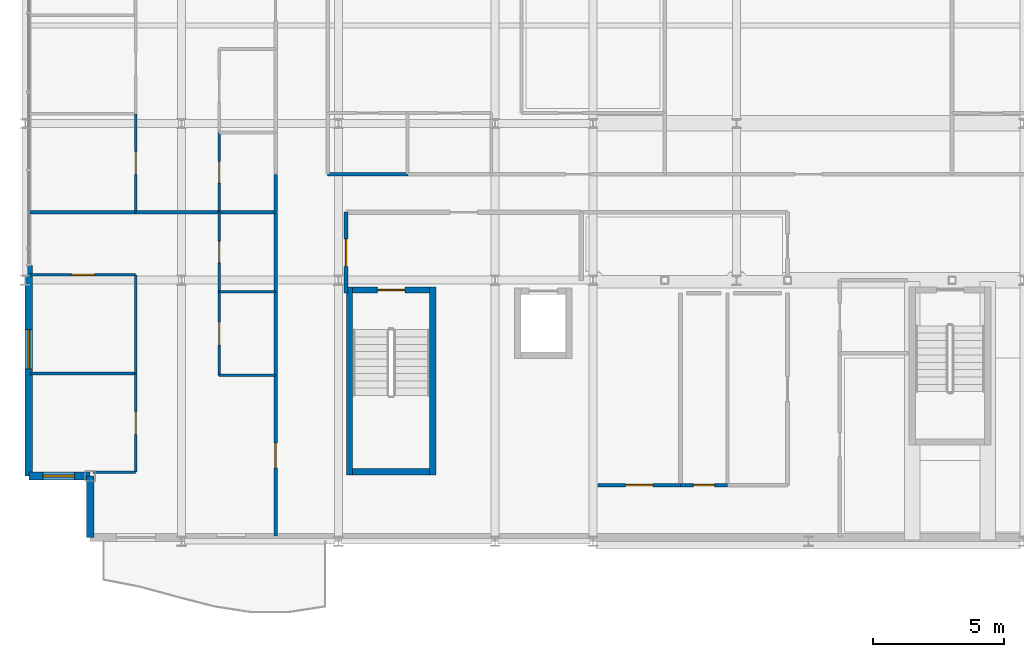
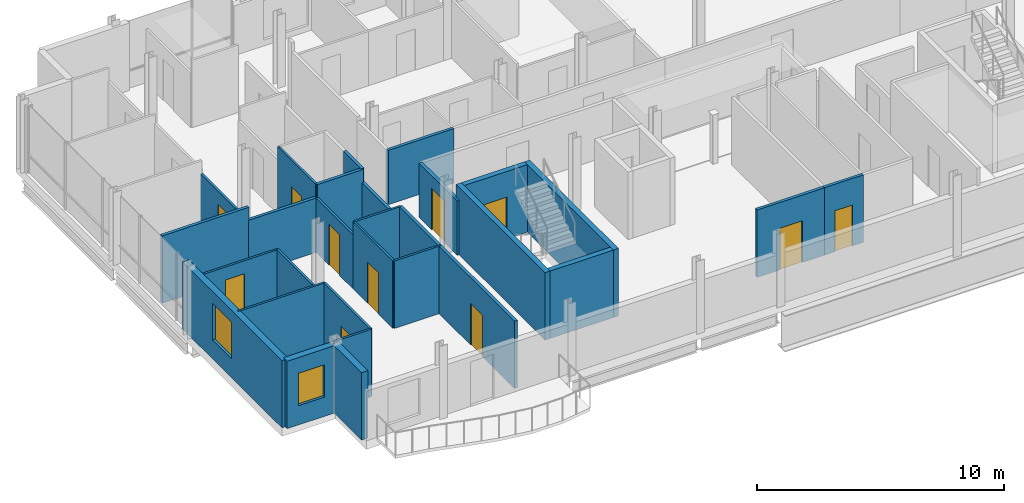
# One storey, part 26 of 35: 29 walls, 11 doors, 2 windows, 13 openings.
"""IFC4 building model written with IfcOpenShell, lengths in metres."""

from ifc_helpers import new_model, si_unit, direction, frame, frame_2d, origin, place, context, subcontext, project, spatial, rectangle, extrude, material, layer, layer_set, type_object, element, fill, save


model = new_model("IFC4")

# Units and contexts
model_context = context("Model", 3, precision=1e-05, world=origin(), true_north=direction((0.0, 1.0)))
body_context = subcontext(model_context, "Body", "Model", "MODEL_VIEW")
ifc_project = project(units=[si_unit("LENGTHUNIT", "METRE"), si_unit("AREAUNIT", "SQUARE_METRE"), si_unit("VOLUMEUNIT", "CUBIC_METRE"), si_unit("PLANEANGLEUNIT", "RADIAN"), si_unit("MASSUNIT", "GRAM", prefix="KILO")], contexts=[model_context])

# Site, building, storey
site_placement = place(None, origin())
site = spatial("IfcSite", under=ifc_project, at=site_placement, CompositionType="ELEMENT")
building_placement = place(site_placement, origin())
building = spatial("IfcBuilding", under=site, at=building_placement, Name="Brevholm Reach", CompositionType="ELEMENT")
storey_placement = place(building_placement, frame((0.0, 0.0, 214.39990234375)))
storey = spatial("IfcBuildingStorey", under=building, at=storey_placement, Name="L65", CompositionType="ELEMENT", Elevation=214.39990234375)

# Walls
ifc_material_1 = material(Name="Concrete C45/55", Category="concrete")
ifc_layer_1 = layer(ifc_material_1, 0.239990234375)
ifc_layer_set_1 = layer_set([ifc_layer_1], Name="Concrete C45/55")
wall_type_1 = type_object("IfcWallType", Name="WAL-COR-240", PredefinedType="SHEAR", material=ifc_layer_set_1)
for number, where, z_axis, x_axis, name in (
    (1, (12.429931640625, 2.5400390625, 0.0), (0.0, 0.0, 1.0), (0.0, 1.0, 0.0), "L65 Escape Stair ST-1 Core Wall W"),
    (2, (15.6201171875, 2.5400390625, 0.0), (0.0, 0.0, 1.0), (0.0, 1.0, 0.0), "L65 Escape Stair ST-1 Core Wall E"),
):
    element("IfcWall", number, at=place(storey_placement, frame(where, z_axis=z_axis, x_axis=x_axis)), inside=storey, type_object=wall_type_1, Name=name, PredefinedType="SHEAR", context=body_context, shape_type="SweptSolid", body=[
        extrude(rectangle(XDim=7.199951171875, YDim=0.239990234375, at=frame_2d((3.60009765625, 0.0))), origin(), (0.0, 0.0, 1.0), 3.330078125),
    ])
wall_1_placement = place(storey_placement, frame((12.550048828125, 2.659912109375, 0.0), z_axis=(0.0, 0.0, 1.0), x_axis=(1.0, 0.0, 0.0)))
element("IfcWall", 3, at=wall_1_placement, inside=storey, type_object=wall_type_1, Name="L65 Escape Stair ST-1 Core Wall S", PredefinedType="SHEAR", context=body_context, shape_type="SweptSolid", body=[
    extrude(rectangle(XDim=2.949951171875, YDim=0.239990234375, at=frame_2d((1.47509765625, 0.0))), origin(), (0.0, 0.0, 1.0), 3.330078125),
])

# Wall, opening, door
wall_2_placement = place(storey_placement, frame((15.5, 9.6201171875, 0.0), z_axis=(0.0, 0.0, 1.0), x_axis=(-1.0, 0.0, 0.0)))
wall_2 = element("IfcWall", 4, at=wall_2_placement, inside=storey, type_object=wall_type_1, Name="L65 Escape Stair ST-1 Core Wall N", PredefinedType="SHEAR", context=body_context, shape_type="SweptSolid", body=[
    extrude(rectangle(XDim=2.949951171875, YDim=0.239990234375, at=frame_2d((1.47509765625, 0.0))), origin(), (0.0, 0.0, 1.0), 3.330078125),
])
opening_1_placement = place(wall_2_placement, frame((0.949951171875, 0.0, 0.0)))
opening_1 = element("IfcOpeningElement", 5, at=opening_1_placement, cuts=wall_2, Name="Opening SD-ST-1", PredefinedType="OPENING", context=body_context, shape_type="SweptSolid", body=[
    extrude(rectangle(XDim=1.050048828125, YDim=2.06005859375, at=frame_2d((0.52490234375, 1.030029296875))), frame((0.0, 0.1298828125, 0.0), z_axis=(0.0, -1.0, 0.0), x_axis=(1.0, 0.0, 0.0)), (0.0, 0.0, 1.0), 0.260009765625),
])
ifc_material_2 = material(Name="Hardwood-Lipped Steel-Core Fire and Smoke Door", Category="steel")
door_type_1 = type_object("IfcDoorType", Name="DOR-INT-FD60S", OperationType="NOTDEFINED", PredefinedType="DOOR", material=ifc_material_2)
door_1_placement = place(opening_1_placement, origin())
door_1 = element("IfcDoor", 6, at=door_1_placement, inside=storey, type_object=door_type_1, Name="L65 Protected Stair ST-1 Lobby Door", OperationType="SINGLE_SWING_LEFT", OverallHeight=2.06005859375, OverallWidth=1.050048828125, PredefinedType="DOOR", context=body_context, shape_type="SweptSolid", body=[
    extrude(rectangle(XDim=1.050048828125, YDim=2.06005859375, at=frame_2d((0.52490234375, 1.030029296875))), frame((0.0, 0.02490234375, 0.0), z_axis=(0.0, -1.0, 0.0), x_axis=(1.0, 0.0, 0.0)), (0.0, 0.0, 1.0), 0.050048828125),
])
fill(opening_1, door_1)

# Wall
ifc_material_3 = material(Name="Concrete C40/50", Category="concrete")
ifc_layer_2 = layer(ifc_material_3, 0.300048828125)
ifc_layer_set_2 = layer_set([ifc_layer_2], Name="Concrete C40/50")
wall_type_2 = type_object("IfcWallType", Name="WAL-EXT-300", PredefinedType="STANDARD", material=ifc_layer_set_2)
wall_3_placement = place(storey_placement, frame((2.5, 2.5, 0.0), z_axis=(0.0, 0.0, 1.0), x_axis=(0.0, -1.0, 0.0)))
element("IfcWall", 7, at=wall_3_placement, inside=storey, type_object=wall_type_2, Name="L65 Facade Wall WAL-L65-CSW1", PredefinedType="STANDARD", context=body_context, shape_type="SweptSolid", body=[
    extrude(rectangle(XDim=2.35009765625, YDim=0.300048828125, at=frame_2d((1.175048828125, 0.0))), origin(), (0.0, 0.0, 1.0), 3.330078125),
])

# Wall, opening, window
wall_4_placement = place(storey_placement, frame((0.14990234375, 2.5, 0.0), z_axis=(0.0, 0.0, 1.0), x_axis=(1.0, 0.0, 0.0)))
wall_4 = element("IfcWall", 8, at=wall_4_placement, inside=storey, type_object=wall_type_2, Name="L65 Facade Wall WAL-L65-CSW2", PredefinedType="STANDARD", context=body_context, shape_type="SweptSolid", body=[
    extrude(rectangle(XDim=2.35009765625, YDim=0.300048828125, at=frame_2d((1.175048828125, 0.0))), origin(), (0.0, 0.0, 1.0), 3.330078125),
])
opening_2_placement = place(wall_4_placement, frame((0.5400390625, 0.0, 0.949951171875)))
opening_2 = element("IfcOpeningElement", 9, at=opening_2_placement, cuts=wall_4, Name="Opening WN-08", PredefinedType="OPENING", context=body_context, shape_type="SweptSolid", body=[
    extrude(rectangle(XDim=1.199951171875, YDim=1.60009765625, at=frame_2d((0.60009765625, 0.800048828125))), frame((0.0, 0.159912109375, 0.0), z_axis=(0.0, -1.0, 0.0), x_axis=(1.0, 0.0, 0.0)), (0.0, 0.0, 1.0), 0.320068359375),
])
ifc_material_4 = material(Name="Dark Anodised Aluminium and Solar-Control IGU Glass", Category="aluminium")
window_type_1 = type_object("IfcWindowType", Name="WIN-RES-1200", PartitioningType="SINGLE_PANEL", PredefinedType="WINDOW", material=ifc_material_4)
window_1_placement = place(opening_2_placement, origin())
window_1 = element("IfcWindow", 10, at=window_1_placement, inside=storey, type_object=window_type_1, Name="L65 Bedroom Window 069", OverallHeight=1.60009765625, OverallWidth=1.199951171875, PartitioningType="SINGLE_PANEL", PredefinedType="WINDOW", context=body_context, shape_type="SweptSolid", body=[
    extrude(rectangle(XDim=1.199951171875, YDim=1.60009765625, at=frame_2d((0.60009765625, 0.800048828125))), frame((0.0, 0.030029296875, 0.0), z_axis=(0.0, -1.0, 0.0), x_axis=(1.0, 0.0, 0.0)), (0.0, 0.0, 1.0), 0.06005859375),
])
fill(opening_2, window_1)

wall_5_placement = place(storey_placement, frame((0.14990234375, 10.550048828125, 0.0), z_axis=(0.0, 0.0, 1.0), x_axis=(0.0, -1.0, 0.0)))
wall_5 = element("IfcWall", 11, at=wall_5_placement, inside=storey, type_object=wall_type_2, Name="L65 Facade Wall WAL-L65-W-S", PredefinedType="STANDARD", context=body_context, shape_type="SweptSolid", body=[
    extrude(rectangle(XDim=8.050048828125, YDim=0.300048828125, at=frame_2d((4.02490234375, 0.0))), origin(), (0.0, 0.0, 1.0), 3.330078125),
])
opening_3_placement = place(wall_5_placement, frame((2.445068359375, 0.0, 0.949951171875)))
opening_3 = element("IfcOpeningElement", 12, at=opening_3_placement, cuts=wall_5, Name="Opening WN-05", PredefinedType="OPENING", context=body_context, shape_type="SweptSolid", body=[
    extrude(rectangle(XDim=1.5, YDim=1.800048828125, at=frame_2d((0.75, 0.89990234375))), frame((0.0, 0.159912109375, 0.0), z_axis=(0.0, -1.0, 0.0), x_axis=(1.0, 0.0, 0.0)), (0.0, 0.0, 1.0), 0.320068359375),
])
ifc_material_5 = material(Name="Dark Anodised Aluminium and Solar-Control IGU Glass", Category="aluminium")
window_type_2 = type_object("IfcWindowType", Name="WIN-RES-1500", PartitioningType="SINGLE_PANEL", PredefinedType="WINDOW", material=ifc_material_5)
window_2_placement = place(opening_3_placement, origin())
window_2 = element("IfcWindow", 13, at=window_2_placement, inside=storey, type_object=window_type_2, Name="L65 Window WIN-L65-WS-1", OverallHeight=1.800048828125, OverallWidth=1.5, PartitioningType="SINGLE_PANEL", PredefinedType="WINDOW", context=body_context, shape_type="SweptSolid", body=[
    extrude(rectangle(XDim=1.5, YDim=1.800048828125, at=frame_2d((0.75, 0.89990234375))), frame((0.0, 0.030029296875, 0.0), z_axis=(0.0, -1.0, 0.0), x_axis=(1.0, 0.0, 0.0)), (0.0, 0.0, 1.0), 0.06005859375),
])
fill(opening_3, window_2)

# Wall
ifc_material_6 = material(Name="Moisture-Resistant Acoustic Gypsum Stud Partition 100 mm", Category="gypsum")
ifc_layer_3 = layer(ifc_material_6, 0.10009765625)
ifc_layer_set_3 = layer_set([ifc_layer_3], Name="Moisture-Resistant Acoustic Gypsum Stud Partition 100 mm")
wall_type_3 = type_object("IfcWallType", Name="WAL-PRT-100", PredefinedType="PARTITIONING", material=ifc_layer_set_3)
wall_6_placement = place(storey_placement, frame((7.43798828125, 9.550048828125, 0.0), z_axis=(0.0, 0.0, 1.0), x_axis=(1.0, 0.0, 0.0)))
element("IfcWall", 14, at=wall_6_placement, inside=storey, type_object=wall_type_3, Name="L65 Internal Partition 039", PredefinedType="PARTITIONING", context=body_context, shape_type="SweptSolid", body=[
    extrude(rectangle(XDim=2.157958984375, YDim=0.10009765625, at=frame_2d((1.0791015625, 0.0))), origin(), (0.0, 0.0, 1.0), 3.330078125),
])

# Wall, opening, door
wall_7_placement = place(storey_placement, frame((7.43798828125, 9.550048828125, 0.0), z_axis=(0.0, 0.0, 1.0), x_axis=(0.0, 1.0, 0.0)))
wall_7 = element("IfcWall", 15, at=wall_7_placement, inside=storey, type_object=wall_type_3, Name="L65 Internal Partition 040", PredefinedType="PARTITIONING", context=body_context, shape_type="SweptSolid", body=[
    extrude(rectangle(XDim=3.050048828125, YDim=0.10009765625, at=frame_2d((1.52490234375, 0.0))), origin(), (0.0, 0.0, 1.0), 2.684814453125),
])
opening_4_placement = place(wall_7_placement, frame((1.114990234375, 0.0, 0.0)))
opening_4 = element("IfcOpeningElement", 16, at=opening_4_placement, cuts=wall_7, Name="Opening ID-03", PredefinedType="OPENING", context=body_context, shape_type="SweptSolid", body=[
    extrude(rectangle(XDim=0.820068359375, YDim=2.02001953125, at=frame_2d((0.41015625, 1.010009765625))), frame((0.0, 0.06005859375, 0.0), z_axis=(0.0, -1.0, 0.0), x_axis=(1.0, 0.0, 0.0)), (0.0, 0.0, 1.0), 0.1201171875),
])
ifc_material_7 = material(Name="Moisture-Resistant Painted Timber Internal Bathroom Door", Category="wood")
door_type_2 = type_object("IfcDoorType", Name="DOR-BATH-820", OperationType="NOTDEFINED", PredefinedType="DOOR", material=ifc_material_7)
door_2_placement = place(opening_4_placement, origin())
door_2 = element("IfcDoor", 17, at=door_2_placement, inside=storey, type_object=door_type_2, Name="L65 Internal Door 019", OperationType="SINGLE_SWING_RIGHT", OverallHeight=2.02001953125, OverallWidth=0.820068359375, PredefinedType="DOOR", context=body_context, shape_type="SweptSolid", body=[
    extrude(rectangle(XDim=0.820068359375, YDim=2.02001953125, at=frame_2d((0.41015625, 1.010009765625))), frame((0.0, 0.02490234375, 0.0), z_axis=(0.0, -1.0, 0.0), x_axis=(1.0, 0.0, 0.0)), (0.0, 0.0, 1.0), 0.050048828125),
])
fill(opening_4, door_2)

# Wall
wall_8_placement = place(storey_placement, frame((7.43798828125, 6.35009765625, 0.0), z_axis=(0.0, 0.0, 1.0), x_axis=(1.0, 0.0, 0.0)))
element("IfcWall", 18, at=wall_8_placement, inside=storey, type_object=wall_type_3, Name="L65 Internal Partition 042", PredefinedType="PARTITIONING", context=body_context, shape_type="SweptSolid", body=[
    extrude(rectangle(XDim=2.157958984375, YDim=0.10009765625, at=frame_2d((1.0791015625, 0.0))), origin(), (0.0, 0.0, 1.0), 3.330078125),
])

# Wall, opening, door
wall_9_placement = place(storey_placement, frame((7.43798828125, 6.35009765625, 0.0), z_axis=(0.0, 0.0, 1.0), x_axis=(0.0, 1.0, 0.0)))
wall_9 = element("IfcWall", 19, at=wall_9_placement, inside=storey, type_object=wall_type_3, Name="L65 Internal Partition 043", PredefinedType="PARTITIONING", context=body_context, shape_type="SweptSolid", body=[
    extrude(rectangle(XDim=3.19580078125, YDim=0.10009765625, at=frame_2d((1.597900390625, 0.0))), origin(), (0.0, 0.0, 1.0), 3.330078125),
])
opening_5_placement = place(wall_9_placement, frame((1.157958984375, 0.0, 0.0)))
opening_5 = element("IfcOpeningElement", 20, at=opening_5_placement, cuts=wall_9, Name="Opening ID-01", PredefinedType="OPENING", context=body_context, shape_type="SweptSolid", body=[
    extrude(rectangle(XDim=0.8798828125, YDim=2.0400390625, at=frame_2d((0.43994140625, 1.02001953125))), frame((0.0, 0.06005859375, 0.0), z_axis=(0.0, -1.0, 0.0), x_axis=(1.0, 0.0, 0.0)), (0.0, 0.0, 1.0), 0.1201171875),
])
ifc_material_8 = material(Name="Lacquered Ash Solid-Core Acoustic Internal Door", Category="timber")
door_type_3 = type_object("IfcDoorType", Name="DOR-INT-880", OperationType="NOTDEFINED", PredefinedType="DOOR", material=ifc_material_8)
door_3_placement = place(opening_5_placement, origin())
door_3 = element("IfcDoor", 21, at=door_3_placement, inside=storey, type_object=door_type_3, Name="L65 Internal Door 020", OperationType="SINGLE_SWING_LEFT", OverallHeight=2.0400390625, OverallWidth=0.8798828125, PredefinedType="DOOR", context=body_context, shape_type="SweptSolid", body=[
    extrude(rectangle(XDim=0.8798828125, YDim=2.0400390625, at=frame_2d((0.43994140625, 1.02001953125))), frame((0.0, 0.02490234375, 0.0), z_axis=(0.0, -1.0, 0.0), x_axis=(1.0, 0.0, 0.0)), (0.0, 0.0, 1.0), 0.050048828125),
])
fill(opening_5, door_3)

# Walls
wall_10_placement = place(storey_placement, frame((0.199951171875, 6.425048828125, 0.0), z_axis=(0.0, 0.0, 1.0), x_axis=(1.0, 0.0, 0.0)))
element("IfcWall", 22, at=wall_10_placement, inside=storey, type_object=wall_type_3, Name="L65 Internal Partition 044", PredefinedType="PARTITIONING", context=body_context, shape_type="SweptSolid", body=[
    extrude(rectangle(XDim=4.0419921875, YDim=0.10009765625, at=frame_2d((2.02099609375, 0.0))), origin(), (0.0, 0.0, 1.0), 3.330078125),
])
wall_11_placement = place(storey_placement, frame((2.599365234375, 2.64990234375, 0.0), z_axis=(0.0, 0.0, 1.0), x_axis=(1.0, 0.0, 0.0)))
element("IfcWall", 23, at=wall_11_placement, inside=storey, type_object=wall_type_3, Name="L65 Internal Partition 045", PredefinedType="PARTITIONING", context=body_context, shape_type="SweptSolid", body=[
    extrude(rectangle(XDim=1.642578125, YDim=0.10009765625, at=frame_2d((0.8212890625, 0.0))), origin(), (0.0, 0.0, 1.0), 3.330078125),
])

# Wall, opening, door
wall_12_placement = place(storey_placement, frame((4.241943359375, 2.64990234375, 0.0), z_axis=(0.0, 0.0, 1.0), x_axis=(0.0, 1.0, 0.0)))
wall_12 = element("IfcWall", 24, at=wall_12_placement, inside=storey, type_object=wall_type_3, Name="L65 Internal Partition 046", PredefinedType="PARTITIONING", context=body_context, shape_type="SweptSolid", body=[
    extrude(rectangle(XDim=3.775146484375, YDim=0.10009765625, at=frame_2d((1.8876953125, 0.0))), origin(), (0.0, 0.0, 1.0), 3.330078125),
])
opening_6_placement = place(wall_12_placement, frame((1.447509765625, 0.0, 0.0)))
opening_6 = element("IfcOpeningElement", 25, at=opening_6_placement, cuts=wall_12, Name="Opening ID-01", PredefinedType="OPENING", context=body_context, shape_type="SweptSolid", body=[
    extrude(rectangle(XDim=0.8798828125, YDim=2.0400390625, at=frame_2d((0.43994140625, 1.02001953125))), frame((0.0, 0.06005859375, 0.0), z_axis=(0.0, -1.0, 0.0), x_axis=(1.0, 0.0, 0.0)), (0.0, 0.0, 1.0), 0.1201171875),
])
door_4_placement = place(opening_6_placement, origin())
door_4 = element("IfcDoor", 26, at=door_4_placement, inside=storey, type_object=door_type_3, Name="L65 Internal Door 021", OperationType="SINGLE_SWING_RIGHT", OverallHeight=2.0400390625, OverallWidth=0.8798828125, PredefinedType="DOOR", context=body_context, shape_type="SweptSolid", body=[
    extrude(rectangle(XDim=0.8798828125, YDim=2.0400390625, at=frame_2d((0.43994140625, 1.02001953125))), frame((0.0, 0.02490234375, 0.0), z_axis=(0.0, -1.0, 0.0), x_axis=(1.0, 0.0, 0.0)), (0.0, 0.0, 1.0), 0.050048828125),
])
fill(opening_6, door_4)

# Wall
wall_13_placement = place(storey_placement, frame((4.241943359375, 6.428955078125, 0.0), z_axis=(0.0, 0.0, 1.0), x_axis=(0.0, 1.0, 0.0)))
element("IfcWall", 27, at=wall_13_placement, inside=storey, type_object=wall_type_3, Name="L65 Internal Partition 047", PredefinedType="PARTITIONING", context=body_context, shape_type="SweptSolid", body=[
    extrude(rectangle(XDim=3.77099609375, YDim=0.10009765625, at=frame_2d((1.885498046875, 0.0))), origin(), (0.0, 0.0, 1.0), 2.684814453125),
])

# Wall, opening, door
wall_14_placement = place(storey_placement, frame((0.199951171875, 10.199951171875, 0.0), z_axis=(0.0, 0.0, 1.0), x_axis=(1.0, 0.0, 0.0)))
wall_14 = element("IfcWall", 28, at=wall_14_placement, inside=storey, type_object=wall_type_3, Name="L65 Internal Partition 048", PredefinedType="PARTITIONING", context=body_context, shape_type="SweptSolid", body=[
    extrude(rectangle(XDim=4.0419921875, YDim=0.10009765625, at=frame_2d((2.02099609375, 0.0))), origin(), (0.0, 0.0, 1.0), 2.684814453125),
])
opening_7_placement = place(wall_14_placement, frame((1.5810546875, 0.0, 0.0)))
opening_7 = element("IfcOpeningElement", 29, at=opening_7_placement, cuts=wall_14, Name="Opening ID-01", PredefinedType="OPENING", context=body_context, shape_type="SweptSolid", body=[
    extrude(rectangle(XDim=0.8798828125, YDim=2.0400390625, at=frame_2d((0.43994140625, 1.02001953125))), frame((0.0, 0.06005859375, 0.0), z_axis=(0.0, -1.0, 0.0), x_axis=(1.0, 0.0, 0.0)), (0.0, 0.0, 1.0), 0.1201171875),
])
door_5_placement = place(opening_7_placement, origin())
door_5 = element("IfcDoor", 30, at=door_5_placement, inside=storey, type_object=door_type_3, Name="L65 Internal Door 022", OperationType="SINGLE_SWING_LEFT", OverallHeight=2.0400390625, OverallWidth=0.8798828125, PredefinedType="DOOR", context=body_context, shape_type="SweptSolid", body=[
    extrude(rectangle(XDim=0.8798828125, YDim=2.0400390625, at=frame_2d((0.43994140625, 1.02001953125))), frame((0.0, 0.02490234375, 0.0), z_axis=(0.0, -1.0, 0.0), x_axis=(1.0, 0.0, 0.0)), (0.0, 0.0, 1.0), 0.050048828125),
])
fill(opening_7, door_5)

wall_15_placement = place(storey_placement, frame((7.43798828125, 12.60400390625, 0.0), z_axis=(0.0, 0.0, 1.0), x_axis=(0.0, 1.0, 0.0)))
wall_15 = element("IfcWall", 31, at=wall_15_placement, inside=storey, type_object=wall_type_3, Name="L65 Internal Partition 058", PredefinedType="PARTITIONING", context=body_context, shape_type="SweptSolid", body=[
    extrude(rectangle(XDim=3.0458984375, YDim=0.10009765625, at=frame_2d((1.52294921875, 0.0))), origin(), (0.0, 0.0, 1.0), 3.330078125),
])
opening_8_placement = place(wall_15_placement, frame((1.113037109375, 0.0, 0.0)))
opening_8 = element("IfcOpeningElement", 32, at=opening_8_placement, cuts=wall_15, Name="Opening ID-03", PredefinedType="OPENING", context=body_context, shape_type="SweptSolid", body=[
    extrude(rectangle(XDim=0.820068359375, YDim=2.02001953125, at=frame_2d((0.41015625, 1.010009765625))), frame((0.0, 0.06005859375, 0.0), z_axis=(0.0, -1.0, 0.0), x_axis=(1.0, 0.0, 0.0)), (0.0, 0.0, 1.0), 0.1201171875),
])
door_6_placement = place(opening_8_placement, origin())
door_6 = element("IfcDoor", 33, at=door_6_placement, inside=storey, type_object=door_type_2, Name="L65 Internal Door 024", OperationType="SINGLE_SWING_LEFT", OverallHeight=2.02001953125, OverallWidth=0.820068359375, PredefinedType="DOOR", context=body_context, shape_type="SweptSolid", body=[
    extrude(rectangle(XDim=0.820068359375, YDim=2.02001953125, at=frame_2d((0.41015625, 1.010009765625))), frame((0.0, 0.02490234375, 0.0), z_axis=(0.0, -1.0, 0.0), x_axis=(1.0, 0.0, 0.0)), (0.0, 0.0, 1.0), 0.050048828125),
])
fill(opening_8, door_6)

wall_16_placement = place(storey_placement, frame((4.241943359375, 12.60400390625, 0.0), z_axis=(0.0, 0.0, 1.0), x_axis=(0.0, 1.0, 0.0)))
wall_16 = element("IfcWall", 34, at=wall_16_placement, inside=storey, type_object=wall_type_3, Name="L65 Internal Partition 064", PredefinedType="PARTITIONING", context=body_context, shape_type="SweptSolid", body=[
    extrude(rectangle(XDim=3.762939453125, YDim=0.10009765625, at=frame_2d((1.88134765625, 0.0))), origin(), (0.0, 0.0, 1.0), 2.684814453125),
])
opening_9_placement = place(wall_16_placement, frame((1.44140625, 0.0, 0.0)))
opening_9 = element("IfcOpeningElement", 35, at=opening_9_placement, cuts=wall_16, Name="Opening ID-01", PredefinedType="OPENING", context=body_context, shape_type="SweptSolid", body=[
    extrude(rectangle(XDim=0.8798828125, YDim=2.0400390625, at=frame_2d((0.43994140625, 1.02001953125))), frame((0.0, 0.06005859375, 0.0), z_axis=(0.0, -1.0, 0.0), x_axis=(1.0, 0.0, 0.0)), (0.0, 0.0, 1.0), 0.1201171875),
])
door_7_placement = place(opening_9_placement, origin())
door_7 = element("IfcDoor", 36, at=door_7_placement, inside=storey, type_object=door_type_3, Name="L65 Internal Door 027", OperationType="SINGLE_SWING_RIGHT", OverallHeight=2.0400390625, OverallWidth=0.8798828125, PredefinedType="DOOR", context=body_context, shape_type="SweptSolid", body=[
    extrude(rectangle(XDim=0.8798828125, YDim=2.0400390625, at=frame_2d((0.43994140625, 1.02001953125))), frame((0.0, 0.02490234375, 0.0), z_axis=(0.0, -1.0, 0.0), x_axis=(1.0, 0.0, 0.0)), (0.0, 0.0, 1.0), 0.050048828125),
])
fill(opening_9, door_7)

ifc_material_9 = material(Name="Twin-Stud Acoustic Fire-Rated Gypsum Partition 140 mm", Category="gypsum")
ifc_layer_4 = layer(ifc_material_9, 0.139892578125)
ifc_layer_set_4 = layer_set([ifc_layer_4], Name="Twin-Stud Acoustic Fire-Rated Gypsum Partition 140 mm")
wall_type_4 = type_object("IfcWallType", Name="WAL-PRT-140", PredefinedType="PARTITIONING", material=ifc_layer_set_4)
wall_17_placement = place(storey_placement, frame((21.949951171875, 2.14990234375, 0.0), z_axis=(0.0, 0.0, 1.0), x_axis=(1.0, 0.0, 0.0)))
wall_17 = element("IfcWall", 37, at=wall_17_placement, inside=storey, type_object=wall_type_4, Name="L65 Internal Partition 005", PredefinedType="PARTITIONING", context=body_context, shape_type="SweptSolid", body=[
    extrude(rectangle(XDim=3.161376953125, YDim=0.139892578125, at=frame_2d((1.58056640625, 0.0))), origin(), (0.0, 0.0, 1.0), 3.330078125),
])
opening_10_placement = place(wall_17_placement, frame((1.0556640625, 0.0, 0.0)))
opening_10 = element("IfcOpeningElement", 38, at=opening_10_placement, cuts=wall_17, Name="Opening FD-01", PredefinedType="OPENING", context=body_context, shape_type="SweptSolid", body=[
    extrude(rectangle(XDim=1.050048828125, YDim=2.06005859375, at=frame_2d((0.52490234375, 1.030029296875))), frame((0.0, 0.079833984375, 0.0), z_axis=(0.0, -1.0, 0.0), x_axis=(1.0, 0.0, 0.0)), (0.0, 0.0, 1.0), 0.159912109375),
])
door_8_placement = place(opening_10_placement, origin())
door_8 = element("IfcDoor", 39, at=door_8_placement, inside=storey, type_object=door_type_1, Name="L65 Internal Door 005", OperationType="SINGLE_SWING_RIGHT", OverallHeight=2.06005859375, OverallWidth=1.050048828125, PredefinedType="DOOR", context=body_context, shape_type="SweptSolid", body=[
    extrude(rectangle(XDim=1.050048828125, YDim=2.06005859375, at=frame_2d((0.52490234375, 1.030029296875))), frame((0.0, 0.02490234375, 0.0), z_axis=(0.0, -1.0, 0.0), x_axis=(1.0, 0.0, 0.0)), (0.0, 0.0, 1.0), 0.050048828125),
])
fill(opening_10, door_8)

wall_18_placement = place(storey_placement, frame((25.0927734375, 2.14990234375, 0.0), z_axis=(0.0, 0.0, 1.0), x_axis=(1.0, 0.0, 0.0)))
wall_18 = element("IfcWall", 40, at=wall_18_placement, inside=storey, type_object=wall_type_4, Name="L65 Internal Partition 006", PredefinedType="PARTITIONING", context=body_context, shape_type="SweptSolid", body=[
    extrude(rectangle(XDim=1.818603515625, YDim=0.139892578125, at=frame_2d((0.9091796875, 0.0))), origin(), (0.0, 0.0, 1.0), 3.330078125),
])
opening_11_placement = place(wall_18_placement, frame((0.499267578125, 0.0, 0.0)))
opening_11 = element("IfcOpeningElement", 41, at=opening_11_placement, cuts=wall_18, Name="Opening ID-02", PredefinedType="OPENING", context=body_context, shape_type="SweptSolid", body=[
    extrude(rectangle(XDim=0.820068359375, YDim=2.02001953125, at=frame_2d((0.41015625, 1.010009765625))), frame((0.0, 0.079833984375, 0.0), z_axis=(0.0, -1.0, 0.0), x_axis=(1.0, 0.0, 0.0)), (0.0, 0.0, 1.0), 0.159912109375),
])
ifc_material_10 = material(Name="Moisture-Resistant Painted Timber Fire-Rated Riser and Service Door", Category="wood")
door_type_4 = type_object("IfcDoorType", Name="DOR-SRV-820", OperationType="NOTDEFINED", PredefinedType="DOOR", material=ifc_material_10)
door_9_placement = place(opening_11_placement, origin())
door_9 = element("IfcDoor", 42, at=door_9_placement, inside=storey, type_object=door_type_4, Name="L65 Internal Door 006", OperationType="SINGLE_SWING_LEFT", OverallHeight=2.02001953125, OverallWidth=0.820068359375, PredefinedType="DOOR", context=body_context, shape_type="SweptSolid", body=[
    extrude(rectangle(XDim=0.820068359375, YDim=2.02001953125, at=frame_2d((0.41015625, 1.010009765625))), frame((0.0, 0.02490234375, 0.0), z_axis=(0.0, -1.0, 0.0), x_axis=(1.0, 0.0, 0.0)), (0.0, 0.0, 1.0), 0.050048828125),
])
fill(opening_11, door_9)

# Walls
wall_19_placement = place(storey_placement, frame((9.60009765625, 12.60009765625, 0.0), z_axis=(0.0, 0.0, 1.0), x_axis=(0.0, 1.0, 0.0)))
element("IfcWall", 43, at=wall_19_placement, inside=storey, type_object=wall_type_4, Name="L65 Internal Partition 023", PredefinedType="PARTITIONING", context=body_context, shape_type="SweptSolid", body=[
    extrude(rectangle(XDim=1.449951171875, YDim=0.139892578125, at=frame_2d((0.72509765625, 0.0))), origin(), (0.0, 0.0, 1.0), 3.330078125),
])
wall_20_placement = place(storey_placement, frame((11.5927734375, 14.050048828125, 0.0), z_axis=(0.0, 0.0, 1.0), x_axis=(1.0, 0.0, 0.0)))
element("IfcWall", 44, at=wall_20_placement, inside=storey, type_object=wall_type_4, Name="L65 Internal Partition 025", PredefinedType="PARTITIONING", context=body_context, shape_type="SweptSolid", body=[
    extrude(rectangle(XDim=3.068603515625, YDim=0.139892578125, at=frame_2d((1.5341796875, 0.0))), origin(), (0.0, 0.0, 1.0), 2.684814453125),
])
wall_21_placement = place(storey_placement, frame((9.60009765625, 9.538818359375, 0.0), z_axis=(0.0, 0.0, 1.0), x_axis=(0.0, 1.0, 0.0)))
element("IfcWall", 45, at=wall_21_placement, inside=storey, type_object=wall_type_4, Name="L65 Internal Partition 035", PredefinedType="PARTITIONING", context=body_context, shape_type="SweptSolid", body=[
    extrude(rectangle(XDim=3.05712890625, YDim=0.139892578125, at=frame_2d((1.528564453125, 0.0))), origin(), (0.0, 0.0, 1.0), 2.684814453125),
])
wall_22_placement = place(storey_placement, frame((9.60009765625, 6.338623046875, 0.0), z_axis=(0.0, 0.0, 1.0), x_axis=(0.0, 1.0, 0.0)))
element("IfcWall", 46, at=wall_22_placement, inside=storey, type_object=wall_type_4, Name="L65 Internal Partition 036", PredefinedType="PARTITIONING", context=body_context, shape_type="SweptSolid", body=[
    extrude(rectangle(XDim=3.21875, YDim=0.139892578125, at=frame_2d((1.609375, 0.0))), origin(), (0.0, 0.0, 1.0), 3.330078125),
])

# Wall, opening, door
wall_23_placement = place(storey_placement, frame((9.60009765625, 0.199951171875, 0.0), z_axis=(0.0, 0.0, 1.0), x_axis=(0.0, 1.0, 0.0)))
wall_23 = element("IfcWall", 47, at=wall_23_placement, inside=storey, type_object=wall_type_4, Name="L65 Internal Partition 037", PredefinedType="PARTITIONING", context=body_context, shape_type="SweptSolid", body=[
    extrude(rectangle(XDim=6.157470703125, YDim=0.139892578125, at=frame_2d((3.07861328125, 0.0))), origin(), (0.0, 0.0, 1.0), 3.330078125),
])
opening_12_placement = place(wall_23_placement, frame((2.603759765625, 0.0, 0.0)))
opening_12 = element("IfcOpeningElement", 48, at=opening_12_placement, cuts=wall_23, Name="Opening ID-30", PredefinedType="OPENING", context=body_context, shape_type="SweptSolid", body=[
    extrude(rectangle(XDim=0.949951171875, YDim=2.050048828125, at=frame_2d((0.47509765625, 1.02490234375))), frame((0.0, 0.079833984375, 0.0), z_axis=(0.0, -1.0, 0.0), x_axis=(1.0, 0.0, 0.0)), (0.0, 0.0, 1.0), 0.159912109375),
])
ifc_material_11 = material(Name="European Oak Veneered Solid-Core Fire Entrance Door", Category="timber")
door_type_5 = type_object("IfcDoorType", Name="DOR-FLT-FD30S", OperationType="NOTDEFINED", PredefinedType="DOOR", material=ifc_material_11)
door_10_placement = place(opening_12_placement, origin())
door_10 = element("IfcDoor", 49, at=door_10_placement, inside=storey, type_object=door_type_5, Name="L65 Internal Door 017", OperationType="SINGLE_SWING_RIGHT", OverallHeight=2.050048828125, OverallWidth=0.949951171875, PredefinedType="DOOR", context=body_context, shape_type="SweptSolid", body=[
    extrude(rectangle(XDim=0.949951171875, YDim=2.050048828125, at=frame_2d((0.47509765625, 1.02490234375))), frame((0.0, 0.02490234375, 0.0), z_axis=(0.0, -1.0, 0.0), x_axis=(1.0, 0.0, 0.0)), (0.0, 0.0, 1.0), 0.050048828125),
])
fill(opening_12, door_10)

# Walls
wall_24_placement = place(storey_placement, frame((7.43798828125, 12.60009765625, 0.0), z_axis=(0.0, 0.0, 1.0), x_axis=(1.0, 0.0, 0.0)))
element("IfcWall", 50, at=wall_24_placement, inside=storey, type_object=wall_type_4, Name="L65 Internal Partition 041", PredefinedType="PARTITIONING", context=body_context, shape_type="SweptSolid", body=[
    extrude(rectangle(XDim=2.157958984375, YDim=0.139892578125, at=frame_2d((1.0791015625, 0.0))), origin(), (0.0, 0.0, 1.0), 3.330078125),
])
wall_25_placement = place(storey_placement, frame((0.199951171875, 12.60009765625, 0.0), z_axis=(0.0, 0.0, 1.0), x_axis=(1.0, 0.0, 0.0)))
element("IfcWall", 51, at=wall_25_placement, inside=storey, type_object=wall_type_4, Name="L65 Internal Partition 049", PredefinedType="PARTITIONING", context=body_context, shape_type="SweptSolid", body=[
    extrude(rectangle(XDim=4.053466796875, YDim=0.139892578125, at=frame_2d((2.02685546875, 0.0))), origin(), (0.0, 0.0, 1.0), 3.330078125),
])
wall_26_placement = place(storey_placement, frame((4.234619140625, 12.60009765625, 0.0), z_axis=(0.0, 0.0, 1.0), x_axis=(1.0, 0.0, 0.0)))
element("IfcWall", 52, at=wall_26_placement, inside=storey, type_object=wall_type_4, Name="L65 Internal Partition 050", PredefinedType="PARTITIONING", context=body_context, shape_type="SweptSolid", body=[
    extrude(rectangle(XDim=3.199462890625, YDim=0.139892578125, at=frame_2d((1.599609375, 0.0))), origin(), (0.0, 0.0, 1.0), 2.684814453125),
])

# Wall, opening, door
ifc_material_12 = material(Name="Twin-Frame Fire-Rated Gypsum Board and Mineral Wool 160 mm", Category="gypsum")
ifc_layer_5 = layer(ifc_material_12, 0.159912109375)
ifc_layer_set_5 = layer_set([ifc_layer_5], Name="Twin-Frame Fire-Rated Gypsum Board and Mineral Wool 160 mm")
wall_type_5 = type_object("IfcWallType", Name="WAL-PRT-160", PredefinedType="PARTITIONING", material=ifc_layer_set_5)
wall_27_placement = place(storey_placement, frame((12.300048828125, 9.5, 0.0), z_axis=(0.0, 0.0, 1.0), x_axis=(0.0, 1.0, 0.0)))
wall_27 = element("IfcWall", 53, at=wall_27_placement, inside=storey, type_object=wall_type_5, Name="L65 Internal Partition 014", PredefinedType="PARTITIONING", context=body_context, shape_type="SweptSolid", body=[
    extrude(rectangle(XDim=3.10009765625, YDim=0.159912109375, at=frame_2d((1.550048828125, 0.0))), origin(), (0.0, 0.0, 1.0), 2.684814453125),
])
opening_13_placement = place(wall_27_placement, frame((1.02490234375, 0.0, 0.0)))
opening_13 = element("IfcOpeningElement", 54, at=opening_13_placement, cuts=wall_27, Name="Opening FD-01", PredefinedType="OPENING", context=body_context, shape_type="SweptSolid", body=[
    extrude(rectangle(XDim=1.050048828125, YDim=2.06005859375, at=frame_2d((0.52490234375, 1.030029296875))), frame((0.0, 0.08984375, 0.0), z_axis=(0.0, -1.0, 0.0), x_axis=(1.0, 0.0, 0.0)), (0.0, 0.0, 1.0), 0.179931640625),
])
door_11_placement = place(opening_13_placement, origin())
door_11 = element("IfcDoor", 55, at=door_11_placement, inside=storey, type_object=door_type_1, Name="L65 Internal Door 008", OperationType="SINGLE_SWING_LEFT", OverallHeight=2.06005859375, OverallWidth=1.050048828125, PredefinedType="DOOR", context=body_context, shape_type="SweptSolid", body=[
    extrude(rectangle(XDim=1.050048828125, YDim=2.06005859375, at=frame_2d((0.52490234375, 1.030029296875))), frame((0.0, 0.02490234375, 0.0), z_axis=(0.0, -1.0, 0.0), x_axis=(1.0, 0.0, 0.0)), (0.0, 0.0, 1.0), 0.050048828125),
])
fill(opening_13, door_11)

save(model, "model.ifc")
